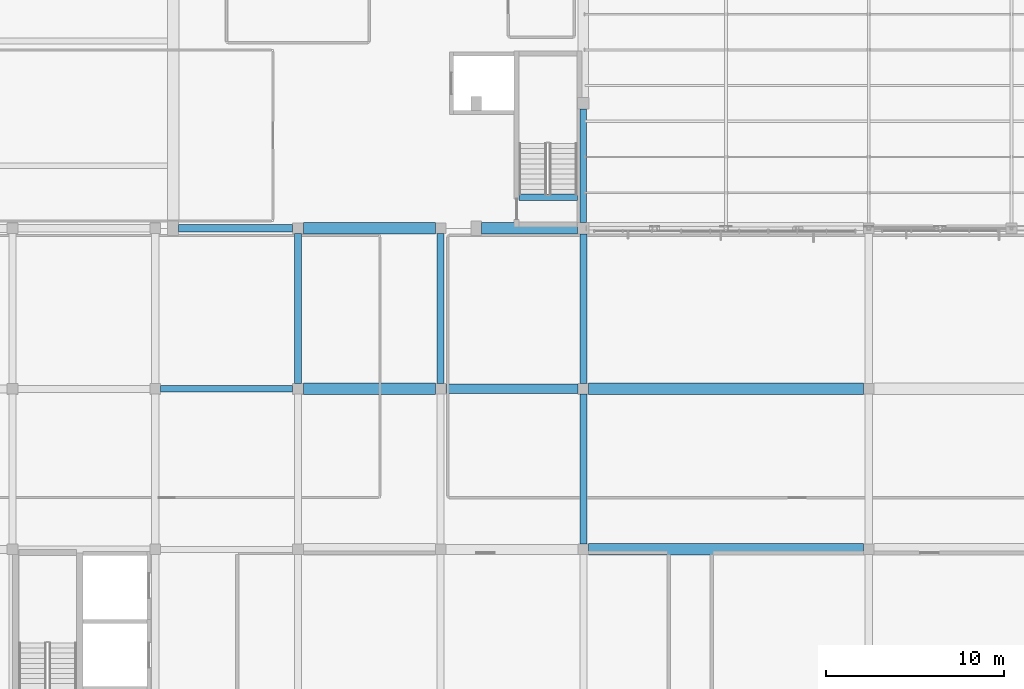
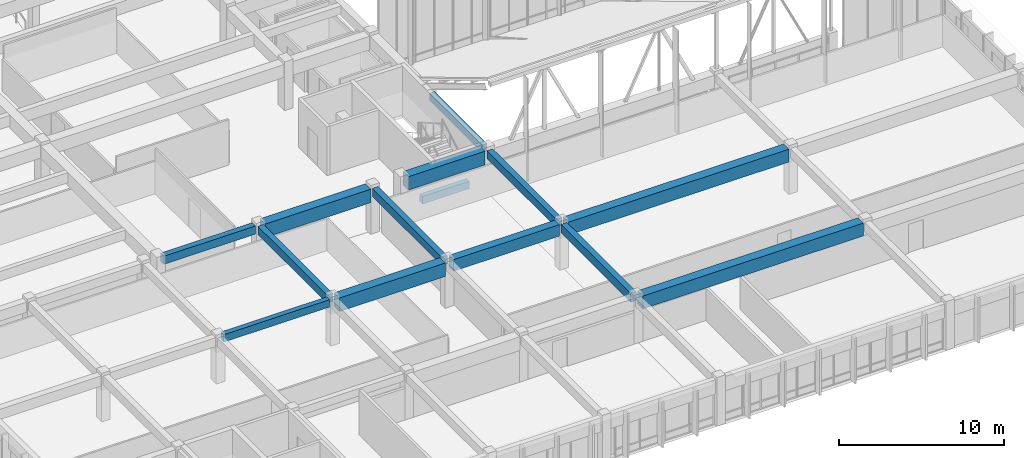
# One storey, part 30 of 155: 14 beams.
"""IFC4 building model written with IfcOpenShell, lengths in metres."""

from ifc_helpers import new_model, si_unit, direction, frame, origin, origin_2d, place, context, subcontext, project, spatial, rectangle, extrude, material, material_profile, profile_set, type_object, element, save


model = new_model("IFC4")

# Units and contexts
model_context = context("Model", 3, precision=1e-05, world=origin(), true_north=direction((0.0, 1.0)))
body_context = subcontext(model_context, "Body", "Model", "MODEL_VIEW")
ifc_project = project(units=[si_unit("LENGTHUNIT", "METRE"), si_unit("AREAUNIT", "SQUARE_METRE"), si_unit("VOLUMEUNIT", "CUBIC_METRE"), si_unit("PLANEANGLEUNIT", "RADIAN"), si_unit("MASSUNIT", "GRAM", prefix="KILO")], contexts=[model_context])

# Site, building, storey
site_placement = place(None, origin())
site = spatial("IfcSite", under=ifc_project, at=site_placement, CompositionType="ELEMENT")
building_placement = place(site_placement, origin())
building = spatial("IfcBuilding", under=site, at=building_placement, Name="Larkveld Mobility Hub", CompositionType="ELEMENT")
storey_placement = place(building_placement, frame((0.0, 0.0, 8.39990234375)))
storey = spatial("IfcBuildingStorey", under=building, at=storey_placement, Name="L02", CompositionType="ELEMENT", Elevation=8.39990234375)

# Beams
ifc_material_1 = material(Name="Precast concrete C50/60", Category="concrete")
ifc_material_profile_1 = material_profile(ifc_material_1, rectangle(XDim=0.64990234375, YDim=0.949951171875, at=origin_2d()), Name="PC ITB 650x950")
ifc_profile_set_1 = profile_set([ifc_material_profile_1], Name="Precast concrete C50/60")
beam_type_1 = type_object("IfcBeamType", Name="BM-ITB6595", PredefinedType="T_BEAM", material=ifc_profile_set_1)
for number, where, z_axis, x_axis, name in (
    (1, (152.300048828125, 10.0, 2.885009765625), (1.0, 0.0, 0.0), (0.0, 1.0, 0.0), "Primary E-W Girder L02-0496"),
    (2, (152.300048828125, 19.0, 2.885009765625), (1.0, 0.0, 0.0), (0.0, 1.0, 0.0), "Primary E-W Girder L02-0503"),
):
    element("IfcBeam", number, at=place(storey_placement, frame(where, z_axis=z_axis, x_axis=x_axis)), inside=storey, type_object=beam_type_1, Name=name, PredefinedType="T_BEAM", context=body_context, shape_type="SweptSolid", body=[
        extrude(rectangle(XDim=0.64990234375, YDim=0.949951171875, at=origin_2d()), origin(), (0.0, 0.0, 1.0), 15.39990234375),
    ])
ifc_material_2 = material(Name="Concrete C40/50", Category="concrete")
ifc_material_profile_2 = material_profile(ifc_material_2, rectangle(XDim=0.35009765625, YDim=0.550048828125, at=origin_2d()), Name="RC BM 350x550")
ifc_profile_set_2 = profile_set([ifc_material_profile_2], Name="Concrete C40/50")
beam_type_2 = type_object("IfcBeamType", Name="BM-RC3555", PredefinedType="BEAM", material=ifc_profile_set_2)
beam_1_placement = place(storey_placement, frame((128.300048828125, 19.0, 3.085205078125), z_axis=(1.0, 0.0, 0.0), x_axis=(0.0, 1.0, 0.0)))
element("IfcBeam", 3, at=beam_1_placement, inside=storey, type_object=beam_type_2, Name="Primary E-W Girder L02-0500", PredefinedType="BEAM", context=body_context, shape_type="SweptSolid", body=[
    extrude(rectangle(XDim=0.35009765625, YDim=0.550048828125, at=origin_2d()), origin(), (0.0, 0.0, 1.0), 7.39990234375),
])
beam_2_placement = place(storey_placement, frame((152.0, 28.324951171875, 3.085205078125), z_axis=(0.0, 1.0, 0.0), x_axis=(-1.0, 0.0, 0.0)))
element("IfcBeam", 4, at=beam_2_placement, inside=storey, type_object=beam_type_2, Name="Primary N-S Girder L02-0674", PredefinedType="BEAM", context=body_context, shape_type="SweptSolid", body=[
    extrude(rectangle(XDim=0.35009765625, YDim=0.550048828125, at=origin_2d()), origin(), (0.0, 0.0, 1.0), 6.35009765625),
])
beam_3_placement = place(storey_placement, frame((148.3798828125, 29.739990234375, -0.27001953125), z_axis=(1.0, 0.0, 0.0), x_axis=(0.0, 1.0, 0.0)))
element("IfcBeam", 5, at=beam_3_placement, inside=storey, type_object=beam_type_2, Name="Core C1 Stair Header Beam L02", PredefinedType="BEAM", context=body_context, shape_type="SweptSolid", body=[
    extrude(rectangle(XDim=0.35009765625, YDim=0.550048828125, at=origin_2d()), origin(), (0.0, 0.0, 1.0), 3.2900390625),
])
ifc_material_profile_3 = material_profile(ifc_material_2, rectangle(XDim=0.39990234375, YDim=0.60009765625, at=origin_2d()), Name="RC BM 400x600")
ifc_profile_set_3 = profile_set([ifc_material_profile_3], Name="Concrete C40/50")
beam_type_3 = type_object("IfcBeamType", Name="BM-RC4060", PredefinedType="BEAM", material=ifc_profile_set_3)
beam_4_placement = place(storey_placement, frame((129.300048828125, 28.0, 3.06005859375), z_axis=(1.0, 0.0, 0.0), x_axis=(0.0, 1.0, 0.0)))
element("IfcBeam", 6, at=beam_4_placement, inside=storey, type_object=beam_type_3, Name="Primary E-W Girder L02-0507", PredefinedType="BEAM", context=body_context, shape_type="SweptSolid", body=[
    extrude(rectangle(XDim=0.39990234375, YDim=0.60009765625, at=origin_2d()), origin(), (0.0, 0.0, 1.0), 6.39990234375),
])
for number, where, z_axis, x_axis, name in (
    (7, (136.0, 19.300048828125, 3.06005859375), (0.0, 1.0, 0.0), (-1.0, 0.0, 0.0), "Primary N-S Girder L02-0654"),
    (8, (144.0, 19.300048828125, 3.06005859375), (0.0, 1.0, 0.0), (-1.0, 0.0, 0.0), "Primary N-S Girder L02-0662"),
):
    element("IfcBeam", number, at=place(storey_placement, frame(where, z_axis=z_axis, x_axis=x_axis)), inside=storey, type_object=beam_type_3, Name=name, PredefinedType="BEAM", context=body_context, shape_type="SweptSolid", body=[
        extrude(rectangle(XDim=0.39990234375, YDim=0.60009765625, at=origin_2d()), origin(), (0.0, 0.0, 1.0), 8.39990234375),
    ])
beam_5_placement = place(storey_placement, frame((152.0, 19.300048828125, 3.06005859375), z_axis=(0.0, 1.0, 0.0), x_axis=(-1.0, 0.0, 0.0)))
element("IfcBeam", 9, at=beam_5_placement, inside=storey, type_object=beam_type_3, Name="Primary N-S Girder L02-0673", PredefinedType="BEAM", context=body_context, shape_type="SweptSolid", body=[
    extrude(rectangle(XDim=0.39990234375, YDim=0.60009765625, at=origin_2d()), origin(), (0.0, 0.0, 1.0), 8.375),
])
ifc_material_profile_4 = material_profile(ifc_material_2, rectangle(XDim=0.39990234375, YDim=0.64990234375, at=origin_2d()), Name="RC BM 400x650")
ifc_profile_set_4 = profile_set([ifc_material_profile_4], Name="Concrete C40/50")
beam_type_4 = type_object("IfcBeamType", Name="BM-RC4065", PredefinedType="BEAM", material=ifc_profile_set_4)
beam_6_placement = place(storey_placement, frame((152.0, 10.300048828125, 3.03515625), z_axis=(0.0, 1.0, 0.0), x_axis=(-1.0, 0.0, 0.0)))
element("IfcBeam", 10, at=beam_6_placement, inside=storey, type_object=beam_type_4, Name="Primary N-S Girder L02-0672", PredefinedType="BEAM", context=body_context, shape_type="SweptSolid", body=[
    extrude(rectangle(XDim=0.39990234375, YDim=0.64990234375, at=origin_2d()), origin(), (0.0, 0.0, 1.0), 8.39990234375),
])
ifc_material_profile_5 = material_profile(ifc_material_2, rectangle(XDim=0.550048828125, YDim=0.85009765625, at=origin_2d()), Name="RC BM 550x850")
ifc_profile_set_5 = profile_set([ifc_material_profile_5], Name="Concrete C40/50")
beam_type_5 = type_object("IfcBeamType", Name="BM-RC5585", PredefinedType="BEAM", material=ifc_profile_set_5)
beam_7_placement = place(storey_placement, frame((144.300048828125, 19.0, 2.93505859375), z_axis=(1.0, 0.0, 0.0), x_axis=(0.0, 1.0, 0.0)))
element("IfcBeam", 11, at=beam_7_placement, inside=storey, type_object=beam_type_5, Name="Primary E-W Girder L02-0502", PredefinedType="BEAM", context=body_context, shape_type="SweptSolid", body=[
    extrude(rectangle(XDim=0.550048828125, YDim=0.85009765625, at=origin_2d()), origin(), (0.0, 0.0, 1.0), 7.39990234375),
])
ifc_material_profile_6 = material_profile(ifc_material_2, rectangle(XDim=0.64990234375, YDim=1.0, at=origin_2d()), Name="RC BM 650x1000")
ifc_profile_set_6 = profile_set([ifc_material_profile_6], Name="Concrete C40/50")
beam_type_6 = type_object("IfcBeamType", Name="BM-RC65100", PredefinedType="BEAM", material=ifc_profile_set_6)
for number, where, z_axis, x_axis, name in (
    (12, (136.300048828125, 19.0, 2.860107421875), (1.0, 0.0, 0.0), (0.0, 1.0, 0.0), "Primary E-W Girder L02-0501"),
    (13, (136.300048828125, 28.0, 2.860107421875), (1.0, 0.0, 0.0), (0.0, 1.0, 0.0), "Primary E-W Girder L02-0508"),
):
    element("IfcBeam", number, at=place(storey_placement, frame(where, z_axis=z_axis, x_axis=x_axis)), inside=storey, type_object=beam_type_6, Name=name, PredefinedType="BEAM", context=body_context, shape_type="SweptSolid", body=[
        extrude(rectangle(XDim=0.64990234375, YDim=1.0, at=origin_2d()), origin(), (0.0, 0.0, 1.0), 7.39990234375),
    ])
beam_8_placement = place(storey_placement, frame((146.300048828125, 28.0, 2.860107421875), z_axis=(1.0, 0.0, 0.0), x_axis=(0.0, 1.0, 0.0)))
element("IfcBeam", 14, at=beam_8_placement, inside=storey, type_object=beam_type_6, Name="Primary E-W Girder L02-0509", PredefinedType="BEAM", context=body_context, shape_type="SweptSolid", body=[
    extrude(rectangle(XDim=0.64990234375, YDim=1.0, at=origin_2d()), origin(), (0.0, 0.0, 1.0), 5.375),
])

save(model, "model.ifc")
